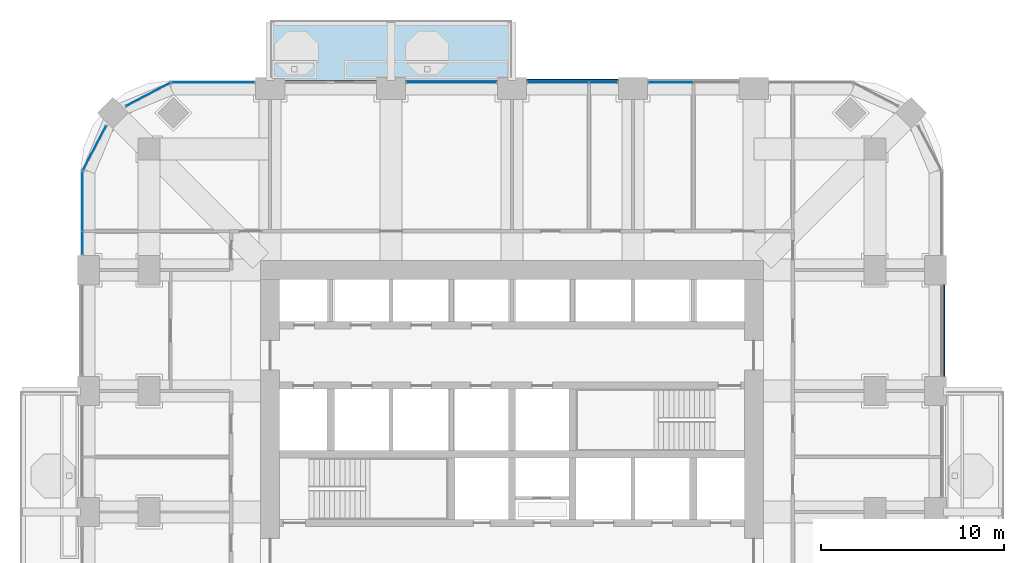
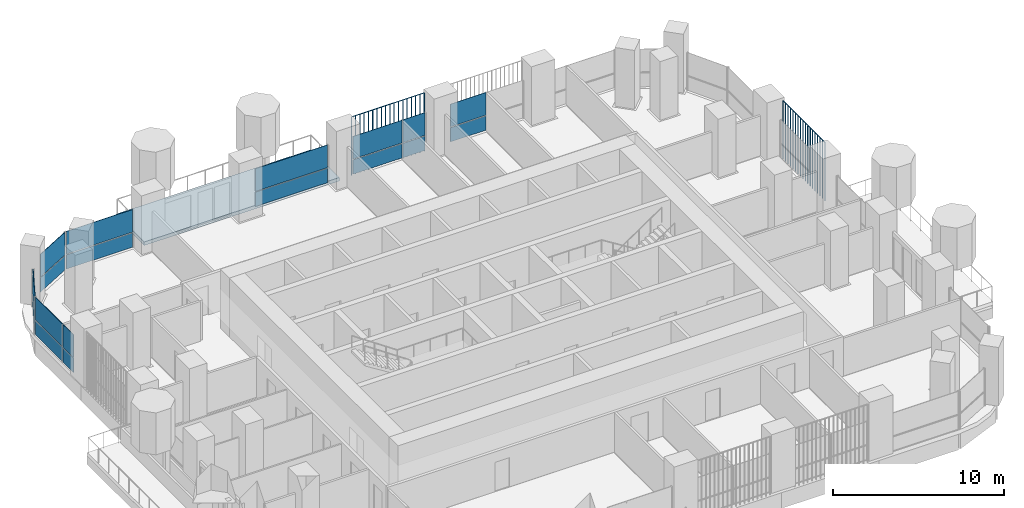
# One storey, part 10 of 20: 20 plates, 1 slab, 7 elements without a shape of their own.
"""IFC4 building model written with IfcOpenShell, lengths in metres."""

from ifc_helpers import new_model, si_unit, direction, frame, origin, origin_2d, place, context, subcontext, project, spatial, polyline, rectangle, outline, extrude, material, layer, layer_set, type_object, element, aggregate, save


model = new_model("IFC4")

# Units and contexts
model_context = context("Model", 3, precision=1e-05, world=origin(), true_north=direction((0.0, 1.0)))
body_context = subcontext(model_context, "Body", "Model", "MODEL_VIEW")
ifc_project = project(units=[si_unit("LENGTHUNIT", "METRE"), si_unit("AREAUNIT", "SQUARE_METRE"), si_unit("VOLUMEUNIT", "CUBIC_METRE"), si_unit("PLANEANGLEUNIT", "RADIAN"), si_unit("MASSUNIT", "GRAM", prefix="KILO")], contexts=[model_context])

# Site, building, storey
site_placement = place(None, origin())
site = spatial("IfcSite", under=ifc_project, at=site_placement, CompositionType="ELEMENT")
building_placement = place(site_placement, origin())
building = spatial("IfcBuilding", under=site, at=building_placement, Name="Cobogo Forest Laboratory Tower", CompositionType="ELEMENT")
storey_placement = place(building_placement, frame((0.0, 0.0, 168.300048828125)))
storey = spatial("IfcBuildingStorey", under=building, at=storey_placement, Name="L38", CompositionType="ELEMENT", Elevation=168.300048828125)

# Slab
ifc_material_1 = material(Name="Concrete HA-40 (C40/50)", Category="concrete")
ifc_layer_1 = layer(ifc_material_1, 0.25)
ifc_layer_set_1 = layer_set([ifc_layer_1], Name="Balcony slab 250")
slab_type = type_object("IfcSlabType", Name="Balcony slab 250", PredefinedType="FLOOR", material=ifc_layer_set_1)
slab_placement = place(storey_placement, frame((0.0, 0.0, -0.25)))
element("IfcSlab", 1, at=slab_placement, inside=storey, type_object=slab_type, Name="Balcony BAL-N1 L38", PredefinedType="FLOOR", context=body_context, shape_type="SweptSolid", body=[
    extrude(outline(polyline([(13.199951171875, 43.35009765625), (26.39990234375, 43.35009765625), (26.39990234375, 46.64990234375), (13.199951171875, 46.64990234375), (13.199951171875, 43.35009765625)])), origin(), (0.0, 0.0, 1.0), 0.25),
])

# Curtain wall, plates
ifc_material_2 = material(Name="Aluminium curtain wall", Category="aluminium")
curtain_wall_type = type_object("IfcCurtainWallType", Name="CW-2 unitised curtain wall, solar control glazing, laboratory floors zones C and D", PredefinedType="USERDEFINED", material=ifc_material_2)
curtain_wall_1_placement = place(storey_placement, origin())
curtain_wall_1 = element("IfcCurtainWall", 2, at=curtain_wall_1_placement, inside=storey, type_object=curtain_wall_type, Name="Curtain wall 17 L38", ObjectType="UNITISED CURTAIN WALL", PredefinedType="USERDEFINED")
ifc_material_3 = material(Name="Solar control insulated glass", Category="glass")
ifc_layer_2 = layer(ifc_material_3, 0.031982421875)
ifc_layer_set_2 = layer_set([ifc_layer_2], Name="GP-2 solar control glass unit 32")
plate_type_1 = type_object("IfcPlateType", Name="GP-2 solar control glass unit 32", PredefinedType="CURTAIN_PANEL", material=ifc_layer_set_2)
plate_1_placement = place(storey_placement, frame((35.06494140625, 43.25, 0.0), z_axis=(0.0, 0.0, 1.0), x_axis=(-1.0, 0.0, 0.0)))
plate_1 = element("IfcPlate", 3, at=plate_1_placement, type_object=plate_type_1, Name="CW-2 panel 2.1", PredefinedType="CURTAIN_PANEL", context=body_context, shape_type="SweptSolid", body=[
    extrude(rectangle(XDim=2.409912109375, YDim=0.031982421875, at=origin_2d()), origin(), (0.0, 0.0, 1.0), 1.02001953125),
])
plate_2_placement = place(storey_placement, frame((35.06494140625, 43.25, 1.079833984375), z_axis=(0.0, 0.0, 1.0), x_axis=(-1.0, 0.0, 0.0)))
plate_2 = element("IfcPlate", 4, at=plate_2_placement, type_object=plate_type_1, Name="CW-2 panel 2.2", PredefinedType="CURTAIN_PANEL", context=body_context, shape_type="SweptSolid", body=[
    extrude(rectangle(XDim=2.409912109375, YDim=0.031982421875, at=origin_2d()), origin(), (0.0, 0.0, 1.0), 1.6201171875),
])
aggregate(curtain_wall_1, [plate_1, plate_2])

curtain_wall_2_placement = place(storey_placement, origin())
curtain_wall_2 = element("IfcCurtainWall", 5, at=curtain_wall_2_placement, inside=storey, type_object=curtain_wall_type, Name="Curtain wall 18 L38", ObjectType="UNITISED CURTAIN WALL", PredefinedType="USERDEFINED")
plate_3_placement = place(storey_placement, frame((31.385009765625, 43.25, 0.0), z_axis=(0.0, 0.0, 1.0), x_axis=(-1.0, 0.0, 0.0)))
plate_3 = element("IfcPlate", 6, at=plate_3_placement, type_object=plate_type_1, Name="CW-2 panel 1.1", PredefinedType="CURTAIN_PANEL", context=body_context, shape_type="SweptSolid", body=[
    extrude(rectangle(XDim=1.510009765625, YDim=0.031982421875, at=origin_2d()), origin(), (0.0, 0.0, 1.0), 1.02001953125),
])
plate_4_placement = place(storey_placement, frame((31.385009765625, 43.25, 1.079833984375), z_axis=(0.0, 0.0, 1.0), x_axis=(-1.0, 0.0, 0.0)))
plate_4 = element("IfcPlate", 7, at=plate_4_placement, type_object=plate_type_1, Name="CW-2 panel 1.2", PredefinedType="CURTAIN_PANEL", context=body_context, shape_type="SweptSolid", body=[
    extrude(rectangle(XDim=1.510009765625, YDim=0.031982421875, at=origin_2d()), origin(), (0.0, 0.0, 1.0), 1.6201171875),
])
plate_5_placement = place(storey_placement, frame((28.9150390625, 43.25, 0.0), z_axis=(0.0, 0.0, 1.0), x_axis=(-1.0, 0.0, 0.0)))
plate_5 = element("IfcPlate", 8, at=plate_5_placement, type_object=plate_type_1, Name="CW-2 panel 2.1", PredefinedType="CURTAIN_PANEL", context=body_context, shape_type="SweptSolid", body=[
    extrude(rectangle(XDim=3.31005859375, YDim=0.031982421875, at=origin_2d()), origin(), (0.0, 0.0, 1.0), 1.02001953125),
])
plate_6_placement = place(storey_placement, frame((28.9150390625, 43.25, 1.079833984375), z_axis=(0.0, 0.0, 1.0), x_axis=(-1.0, 0.0, 0.0)))
plate_6 = element("IfcPlate", 9, at=plate_6_placement, type_object=plate_type_1, Name="CW-2 panel 2.2", PredefinedType="CURTAIN_PANEL", context=body_context, shape_type="SweptSolid", body=[
    extrude(rectangle(XDim=3.31005859375, YDim=0.031982421875, at=origin_2d()), origin(), (0.0, 0.0, 1.0), 1.6201171875),
])
aggregate(curtain_wall_2, [plate_3, plate_4, plate_5, plate_6])

curtain_wall_3_placement = place(storey_placement, origin())
curtain_wall_3 = element("IfcCurtainWall", 10, at=curtain_wall_3_placement, inside=storey, type_object=curtain_wall_type, Name="Curtain wall 19 L38", ObjectType="UNITISED CURTAIN WALL", PredefinedType="USERDEFINED")
plate_7_placement = place(storey_placement, frame((23.10009765625, 43.25, 0.0), z_axis=(0.0, 0.0, 1.0), x_axis=(-1.0, 0.0, 0.0)))
plate_7 = element("IfcPlate", 11, at=plate_7_placement, type_object=plate_type_1, Name="CW-2 panel 1.1", PredefinedType="CURTAIN_PANEL", context=body_context, shape_type="SweptSolid", body=[
    extrude(rectangle(XDim=4.8798828125, YDim=0.031982421875, at=origin_2d()), origin(), (0.0, 0.0, 1.0), 1.02001953125),
])
plate_8_placement = place(storey_placement, frame((23.10009765625, 43.25, 1.079833984375), z_axis=(0.0, 0.0, 1.0), x_axis=(-1.0, 0.0, 0.0)))
plate_8 = element("IfcPlate", 12, at=plate_8_placement, type_object=plate_type_1, Name="CW-2 panel 1.2", PredefinedType="CURTAIN_PANEL", context=body_context, shape_type="SweptSolid", body=[
    extrude(rectangle(XDim=4.8798828125, YDim=0.031982421875, at=origin_2d()), origin(), (0.0, 0.0, 1.0), 1.6201171875),
])
aggregate(curtain_wall_3, [plate_7, plate_8])

curtain_wall_4_placement = place(storey_placement, origin())
curtain_wall_4 = element("IfcCurtainWall", 13, at=curtain_wall_4_placement, inside=storey, type_object=curtain_wall_type, Name="Curtain wall 21 L38", ObjectType="UNITISED CURTAIN WALL", PredefinedType="USERDEFINED")
plate_9_placement = place(storey_placement, frame((10.10009765625, 43.25, 0.0), z_axis=(0.0, 0.0, 1.0), x_axis=(-1.0, 0.0, 0.0)))
plate_9 = element("IfcPlate", 14, at=plate_9_placement, type_object=plate_type_1, Name="CW-2 panel 1.1", PredefinedType="CURTAIN_PANEL", context=body_context, shape_type="SweptSolid", body=[
    extrude(rectangle(XDim=4.47998046875, YDim=0.031982421875, at=origin_2d()), origin(), (0.0, 0.0, 1.0), 1.02001953125),
])
plate_10_placement = place(storey_placement, frame((10.10009765625, 43.25, 1.079833984375), z_axis=(0.0, 0.0, 1.0), x_axis=(-1.0, 0.0, 0.0)))
plate_10 = element("IfcPlate", 15, at=plate_10_placement, type_object=plate_type_1, Name="CW-2 panel 1.2", PredefinedType="CURTAIN_PANEL", context=body_context, shape_type="SweptSolid", body=[
    extrude(rectangle(XDim=4.47998046875, YDim=0.031982421875, at=origin_2d()), origin(), (0.0, 0.0, 1.0), 1.6201171875),
])
aggregate(curtain_wall_4, [plate_9, plate_10])

curtain_wall_5_placement = place(storey_placement, origin())
curtain_wall_5 = element("IfcCurtainWall", 16, at=curtain_wall_5_placement, inside=storey, type_object=curtain_wall_type, Name="Curtain wall 22 L38", ObjectType="UNITISED CURTAIN WALL", PredefinedType="USERDEFINED")
plate_11_placement = place(storey_placement, frame((6.547607421875, 42.593505859375, 0.0), z_axis=(0.0, 0.0, 1.0), x_axis=(-0.885686477022, -0.464283818822, 0.0)))
plate_11 = element("IfcPlate", 17, at=plate_11_placement, type_object=plate_type_1, Name="CW-2 panel 1.1", PredefinedType="CURTAIN_PANEL", context=body_context, shape_type="SweptSolid", body=[
    extrude(rectangle(XDim=2.7080078125, YDim=0.031982421875, at=origin_2d()), origin(), (0.0, 0.0, 1.0), 1.02001953125),
])
plate_12_placement = place(storey_placement, frame((6.547607421875, 42.593505859375, 1.079833984375), z_axis=(0.0, 0.0, 1.0), x_axis=(-0.885686477022, -0.464283818822, 0.0)))
plate_12 = element("IfcPlate", 18, at=plate_12_placement, type_object=plate_type_1, Name="CW-2 panel 1.2", PredefinedType="CURTAIN_PANEL", context=body_context, shape_type="SweptSolid", body=[
    extrude(rectangle(XDim=2.7080078125, YDim=0.031982421875, at=origin_2d()), origin(), (0.0, 0.0, 1.0), 1.6201171875),
])
aggregate(curtain_wall_5, [plate_11, plate_12])

curtain_wall_6_placement = place(storey_placement, origin())
curtain_wall_6 = element("IfcCurtainWall", 19, at=curtain_wall_6_placement, inside=storey, type_object=curtain_wall_type, Name="Curtain wall 23 L38", ObjectType="UNITISED CURTAIN WALL", PredefinedType="USERDEFINED")
plate_13_placement = place(storey_placement, frame((3.6064453125, 39.65234375, 0.0), z_axis=(0.0, 0.0, 1.0), x_axis=(-0.464283818822, -0.885686477022, 0.0)))
plate_13 = element("IfcPlate", 20, at=plate_13_placement, type_object=plate_type_1, Name="CW-2 panel 1.1", PredefinedType="CURTAIN_PANEL", context=body_context, shape_type="SweptSolid", body=[
    extrude(rectangle(XDim=2.7080078125, YDim=0.031982421875, at=origin_2d()), origin(), (0.0, 0.0, 1.0), 1.02001953125),
])
plate_14_placement = place(storey_placement, frame((3.6064453125, 39.65234375, 1.079833984375), z_axis=(0.0, 0.0, 1.0), x_axis=(-0.464283818822, -0.885686477022, 0.0)))
plate_14 = element("IfcPlate", 21, at=plate_14_placement, type_object=plate_type_1, Name="CW-2 panel 1.2", PredefinedType="CURTAIN_PANEL", context=body_context, shape_type="SweptSolid", body=[
    extrude(rectangle(XDim=2.7080078125, YDim=0.031982421875, at=origin_2d()), origin(), (0.0, 0.0, 1.0), 1.6201171875),
])
aggregate(curtain_wall_6, [plate_13, plate_14])

curtain_wall_7_placement = place(storey_placement, origin())
curtain_wall_7 = element("IfcCurtainWall", 22, at=curtain_wall_7_placement, inside=storey, type_object=curtain_wall_type, Name="Curtain wall 24 L38", ObjectType="UNITISED CURTAIN WALL", PredefinedType="USERDEFINED")
plate_15_placement = place(storey_placement, frame((2.949951171875, 36.74755859375, 0.0), z_axis=(0.0, 0.0, 1.0), x_axis=(0.0, -1.0, 0.0)))
plate_15 = element("IfcPlate", 23, at=plate_15_placement, type_object=plate_type_1, Name="CW-2 panel 1.1", PredefinedType="CURTAIN_PANEL", context=body_context, shape_type="SweptSolid", body=[
    extrude(rectangle(XDim=3.18505859375, YDim=0.031982421875, at=origin_2d()), origin(), (0.0, 0.0, 1.0), 1.02001953125),
])
plate_16_placement = place(storey_placement, frame((2.949951171875, 36.74755859375, 1.079833984375), z_axis=(0.0, 0.0, 1.0), x_axis=(0.0, -1.0, 0.0)))
plate_16 = element("IfcPlate", 24, at=plate_16_placement, type_object=plate_type_1, Name="CW-2 panel 1.2", PredefinedType="CURTAIN_PANEL", context=body_context, shape_type="SweptSolid", body=[
    extrude(rectangle(XDim=3.18505859375, YDim=0.031982421875, at=origin_2d()), origin(), (0.0, 0.0, 1.0), 1.6201171875),
])
plate_17_placement = place(storey_placement, frame((2.949951171875, 34.4775390625, 0.0), z_axis=(0.0, 0.0, 1.0), x_axis=(0.0, -1.0, 0.0)))
plate_17 = element("IfcPlate", 25, at=plate_17_placement, type_object=plate_type_1, Name="CW-2 panel 2.1", PredefinedType="CURTAIN_PANEL", context=body_context, shape_type="SweptSolid", body=[
    extrude(rectangle(XDim=1.235107421875, YDim=0.031982421875, at=origin_2d()), origin(), (0.0, 0.0, 1.0), 1.02001953125),
])
plate_18_placement = place(storey_placement, frame((2.949951171875, 34.4775390625, 1.079833984375), z_axis=(0.0, 0.0, 1.0), x_axis=(0.0, -1.0, 0.0)))
plate_18 = element("IfcPlate", 26, at=plate_18_placement, type_object=plate_type_1, Name="CW-2 panel 2.2", PredefinedType="CURTAIN_PANEL", context=body_context, shape_type="SweptSolid", body=[
    extrude(rectangle(XDim=1.235107421875, YDim=0.031982421875, at=origin_2d()), origin(), (0.0, 0.0, 1.0), 1.6201171875),
])
aggregate(curtain_wall_7, [plate_15, plate_16, plate_17, plate_18])

# Plates
ifc_material_4 = material(Name="Terracotta", Category="masonry")
plate_type_2 = type_object("IfcPlateType", Name="TB1 terracotta baguette screen", PredefinedType="USERDEFINED", material=ifc_material_4)
plate_19_placement = place(storey_placement, frame((49.977783203125, 27.231201171875, -0.150146484375)))
element("IfcPlate", 27, at=plate_19_placement, inside=storey, type_object=plate_type_2, Name="Baguette screen E3 L38", ObjectType="BAGUETTE SCREEN", PredefinedType="USERDEFINED", context=body_context, shape_type="SweptSolid", body=[
    extrude(outline(polyline([(0.02880859375, 0.011962890625), (0.011962890625, 0.02880859375), (-0.011962890625, 0.02880859375), (-0.02880859375, 0.011962890625), (-0.02880859375, -0.011962890625), (-0.011962890625, -0.02880859375), (0.011962890625, -0.02880859375), (0.02880859375, -0.011962890625), (0.02880859375, 0.011962890625)])), frame((0.0, 0.0, 4.168701171875), z_axis=(0.0, 1.0, 0.0), x_axis=(-1.0, 0.0, 0.0)), (0.0, 0.0, 1.0), 4.9375),
    extrude(outline(polyline([(0.02880859375, 0.011962890625), (0.011962890625, 0.02880859375), (-0.011962890625, 0.02880859375), (-0.02880859375, 0.011962890625), (-0.02880859375, -0.011962890625), (-0.011962890625, -0.02880859375), (0.011962890625, -0.02880859375), (0.02880859375, -0.011962890625), (0.02880859375, 0.011962890625)])), origin(), (0.0, 0.0, 1.0), 4.137451171875),
    extrude(outline(polyline([(0.02880859375, 0.011962890625), (0.011962890625, 0.02880859375), (-0.011962890625, 0.02880859375), (-0.02880859375, 0.011962890625), (-0.02880859375, -0.011962890625), (-0.011962890625, -0.02880859375), (0.011962890625, -0.02880859375), (0.02880859375, -0.011962890625), (0.02880859375, 0.011962890625)])), frame((0.0, 0.29052734375, 0.0)), (0.0, 0.0, 1.0), 4.137451171875),
    extrude(outline(polyline([(0.02880859375, 0.011962890625), (0.011962890625, 0.02880859375), (-0.011962890625, 0.02880859375), (-0.02880859375, 0.011962890625), (-0.02880859375, -0.011962890625), (-0.011962890625, -0.02880859375), (0.011962890625, -0.02880859375), (0.02880859375, -0.011962890625), (0.02880859375, 0.011962890625)])), frame((0.0, 0.580810546875, 0.0)), (0.0, 0.0, 1.0), 4.137451171875),
    extrude(outline(polyline([(0.02880859375, 0.011962890625), (0.011962890625, 0.02880859375), (-0.011962890625, 0.02880859375), (-0.02880859375, 0.011962890625), (-0.02880859375, -0.011962890625), (-0.011962890625, -0.02880859375), (0.011962890625, -0.02880859375), (0.02880859375, -0.011962890625), (0.02880859375, 0.011962890625)])), frame((0.0, 0.871337890625, 0.0)), (0.0, 0.0, 1.0), 4.137451171875),
    extrude(outline(polyline([(0.02880859375, 0.011962890625), (0.011962890625, 0.02880859375), (-0.011962890625, 0.02880859375), (-0.02880859375, 0.011962890625), (-0.02880859375, -0.011962890625), (-0.011962890625, -0.02880859375), (0.011962890625, -0.02880859375), (0.02880859375, -0.011962890625), (0.02880859375, 0.011962890625)])), frame((0.0, 1.161865234375, 0.0)), (0.0, 0.0, 1.0), 4.137451171875),
    extrude(outline(polyline([(0.02880859375, 0.011962890625), (0.011962890625, 0.02880859375), (-0.011962890625, 0.02880859375), (-0.02880859375, 0.011962890625), (-0.02880859375, -0.011962890625), (-0.011962890625, -0.02880859375), (0.011962890625, -0.02880859375), (0.02880859375, -0.011962890625), (0.02880859375, 0.011962890625)])), frame((0.0, 1.4521484375, 0.0)), (0.0, 0.0, 1.0), 4.137451171875),
    extrude(outline(polyline([(0.02880859375, 0.011962890625), (0.011962890625, 0.02880859375), (-0.011962890625, 0.02880859375), (-0.02880859375, 0.011962890625), (-0.02880859375, -0.011962890625), (-0.011962890625, -0.02880859375), (0.011962890625, -0.02880859375), (0.02880859375, -0.011962890625), (0.02880859375, 0.011962890625)])), frame((0.0, 1.74267578125, 0.0)), (0.0, 0.0, 1.0), 4.137451171875),
    extrude(outline(polyline([(0.02880859375, 0.011962890625), (0.011962890625, 0.02880859375), (-0.011962890625, 0.02880859375), (-0.02880859375, 0.011962890625), (-0.02880859375, -0.011962890625), (-0.011962890625, -0.02880859375), (0.011962890625, -0.02880859375), (0.02880859375, -0.011962890625), (0.02880859375, 0.011962890625)])), frame((0.0, 2.033203125, 0.0)), (0.0, 0.0, 1.0), 4.137451171875),
    extrude(outline(polyline([(0.02880859375, 0.011962890625), (0.011962890625, 0.02880859375), (-0.011962890625, 0.02880859375), (-0.02880859375, 0.011962890625), (-0.02880859375, -0.011962890625), (-0.011962890625, -0.02880859375), (0.011962890625, -0.02880859375), (0.02880859375, -0.011962890625), (0.02880859375, 0.011962890625)])), frame((0.0, 2.323486328125, 0.0)), (0.0, 0.0, 1.0), 4.137451171875),
    extrude(outline(polyline([(0.02880859375, 0.011962890625), (0.011962890625, 0.02880859375), (-0.011962890625, 0.02880859375), (-0.02880859375, 0.011962890625), (-0.02880859375, -0.011962890625), (-0.011962890625, -0.02880859375), (0.011962890625, -0.02880859375), (0.02880859375, -0.011962890625), (0.02880859375, 0.011962890625)])), frame((0.0, 2.614013671875, 0.0)), (0.0, 0.0, 1.0), 4.137451171875),
    extrude(outline(polyline([(0.02880859375, 0.011962890625), (0.011962890625, 0.02880859375), (-0.011962890625, 0.02880859375), (-0.02880859375, 0.011962890625), (-0.02880859375, -0.011962890625), (-0.011962890625, -0.02880859375), (0.011962890625, -0.02880859375), (0.02880859375, -0.011962890625), (0.02880859375, 0.011962890625)])), frame((0.0, 2.904296875, 0.0)), (0.0, 0.0, 1.0), 4.137451171875),
    extrude(outline(polyline([(0.02880859375, 0.011962890625), (0.011962890625, 0.02880859375), (-0.011962890625, 0.02880859375), (-0.02880859375, 0.011962890625), (-0.02880859375, -0.011962890625), (-0.011962890625, -0.02880859375), (0.011962890625, -0.02880859375), (0.02880859375, -0.011962890625), (0.02880859375, 0.011962890625)])), frame((0.0, 3.19482421875, 0.0)), (0.0, 0.0, 1.0), 4.137451171875),
    extrude(outline(polyline([(0.02880859375, 0.011962890625), (0.011962890625, 0.02880859375), (-0.011962890625, 0.02880859375), (-0.02880859375, 0.011962890625), (-0.02880859375, -0.011962890625), (-0.011962890625, -0.02880859375), (0.011962890625, -0.02880859375), (0.02880859375, -0.011962890625), (0.02880859375, 0.011962890625)])), frame((0.0, 3.4853515625, 0.0)), (0.0, 0.0, 1.0), 4.137451171875),
    extrude(outline(polyline([(0.02880859375, 0.011962890625), (0.011962890625, 0.02880859375), (-0.011962890625, 0.02880859375), (-0.02880859375, 0.011962890625), (-0.02880859375, -0.011962890625), (-0.011962890625, -0.02880859375), (0.011962890625, -0.02880859375), (0.02880859375, -0.011962890625), (0.02880859375, 0.011962890625)])), frame((0.0, 3.775634765625, 0.0)), (0.0, 0.0, 1.0), 4.137451171875),
    extrude(outline(polyline([(0.02880859375, 0.011962890625), (0.011962890625, 0.02880859375), (-0.011962890625, 0.02880859375), (-0.02880859375, 0.011962890625), (-0.02880859375, -0.011962890625), (-0.011962890625, -0.02880859375), (0.011962890625, -0.02880859375), (0.02880859375, -0.011962890625), (0.02880859375, 0.011962890625)])), frame((0.0, 4.066162109375, 0.0)), (0.0, 0.0, 1.0), 4.137451171875),
    extrude(outline(polyline([(0.02880859375, 0.011962890625), (0.011962890625, 0.02880859375), (-0.011962890625, 0.02880859375), (-0.02880859375, 0.011962890625), (-0.02880859375, -0.011962890625), (-0.011962890625, -0.02880859375), (0.011962890625, -0.02880859375), (0.02880859375, -0.011962890625), (0.02880859375, 0.011962890625)])), frame((0.0, 4.356689453125, 0.0)), (0.0, 0.0, 1.0), 4.137451171875),
    extrude(outline(polyline([(0.02880859375, 0.011962890625), (0.011962890625, 0.02880859375), (-0.011962890625, 0.02880859375), (-0.02880859375, 0.011962890625), (-0.02880859375, -0.011962890625), (-0.011962890625, -0.02880859375), (0.011962890625, -0.02880859375), (0.02880859375, -0.011962890625), (0.02880859375, 0.011962890625)])), frame((0.0, 4.64697265625, 0.0)), (0.0, 0.0, 1.0), 4.137451171875),
    extrude(outline(polyline([(0.02880859375, 0.011962890625), (0.011962890625, 0.02880859375), (-0.011962890625, 0.02880859375), (-0.02880859375, 0.011962890625), (-0.02880859375, -0.011962890625), (-0.011962890625, -0.02880859375), (0.011962890625, -0.02880859375), (0.02880859375, -0.011962890625), (0.02880859375, 0.011962890625)])), frame((0.0, 4.9375, 0.0)), (0.0, 0.0, 1.0), 4.137451171875),
])
plate_20_placement = place(storey_placement, frame((27.231201171875, 43.3779296875, -0.150146484375)))
element("IfcPlate", 28, at=plate_20_placement, inside=storey, type_object=plate_type_2, Name="Baguette screen N3 L38", ObjectType="BAGUETTE SCREEN", PredefinedType="USERDEFINED", context=body_context, shape_type="SweptSolid", body=[
    extrude(outline(polyline([(0.02880859375, 0.011962890625), (0.011962890625, 0.02880859375), (-0.011962890625, 0.02880859375), (-0.02880859375, 0.011962890625), (-0.02880859375, -0.011962890625), (-0.011962890625, -0.02880859375), (0.011962890625, -0.02880859375), (0.02880859375, -0.011962890625), (0.02880859375, 0.011962890625)])), frame((0.0, 0.0, 4.168701171875), z_axis=(1.0, 0.0, 0.0), x_axis=(0.0, 1.0, 0.0)), (0.0, 0.0, 1.0), 4.9375),
    extrude(outline(polyline([(0.02880859375, 0.011962890625), (0.011962890625, 0.02880859375), (-0.011962890625, 0.02880859375), (-0.02880859375, 0.011962890625), (-0.02880859375, -0.011962890625), (-0.011962890625, -0.02880859375), (0.011962890625, -0.02880859375), (0.02880859375, -0.011962890625), (0.02880859375, 0.011962890625)])), origin(), (0.0, 0.0, 1.0), 4.137451171875),
    extrude(outline(polyline([(0.02880859375, 0.011962890625), (0.011962890625, 0.02880859375), (-0.011962890625, 0.02880859375), (-0.02880859375, 0.011962890625), (-0.02880859375, -0.011962890625), (-0.011962890625, -0.02880859375), (0.011962890625, -0.02880859375), (0.02880859375, -0.011962890625), (0.02880859375, 0.011962890625)])), frame((0.29052734375, 0.0, 0.0)), (0.0, 0.0, 1.0), 4.137451171875),
    extrude(outline(polyline([(0.02880859375, 0.011962890625), (0.011962890625, 0.02880859375), (-0.011962890625, 0.02880859375), (-0.02880859375, 0.011962890625), (-0.02880859375, -0.011962890625), (-0.011962890625, -0.02880859375), (0.011962890625, -0.02880859375), (0.02880859375, -0.011962890625), (0.02880859375, 0.011962890625)])), frame((0.580810546875, 0.0, 0.0)), (0.0, 0.0, 1.0), 4.137451171875),
    extrude(outline(polyline([(0.02880859375, 0.011962890625), (0.011962890625, 0.02880859375), (-0.011962890625, 0.02880859375), (-0.02880859375, 0.011962890625), (-0.02880859375, -0.011962890625), (-0.011962890625, -0.02880859375), (0.011962890625, -0.02880859375), (0.02880859375, -0.011962890625), (0.02880859375, 0.011962890625)])), frame((0.871337890625, 0.0, 0.0)), (0.0, 0.0, 1.0), 4.137451171875),
    extrude(outline(polyline([(0.02880859375, 0.011962890625), (0.011962890625, 0.02880859375), (-0.011962890625, 0.02880859375), (-0.02880859375, 0.011962890625), (-0.02880859375, -0.011962890625), (-0.011962890625, -0.02880859375), (0.011962890625, -0.02880859375), (0.02880859375, -0.011962890625), (0.02880859375, 0.011962890625)])), frame((1.161865234375, 0.0, 0.0)), (0.0, 0.0, 1.0), 4.137451171875),
    extrude(outline(polyline([(0.02880859375, 0.011962890625), (0.011962890625, 0.02880859375), (-0.011962890625, 0.02880859375), (-0.02880859375, 0.011962890625), (-0.02880859375, -0.011962890625), (-0.011962890625, -0.02880859375), (0.011962890625, -0.02880859375), (0.02880859375, -0.011962890625), (0.02880859375, 0.011962890625)])), frame((1.4521484375, 0.0, 0.0)), (0.0, 0.0, 1.0), 4.137451171875),
    extrude(outline(polyline([(0.02880859375, 0.011962890625), (0.011962890625, 0.02880859375), (-0.011962890625, 0.02880859375), (-0.02880859375, 0.011962890625), (-0.02880859375, -0.011962890625), (-0.011962890625, -0.02880859375), (0.011962890625, -0.02880859375), (0.02880859375, -0.011962890625), (0.02880859375, 0.011962890625)])), frame((1.74267578125, 0.0, 0.0)), (0.0, 0.0, 1.0), 4.137451171875),
    extrude(outline(polyline([(0.02880859375, 0.011962890625), (0.011962890625, 0.02880859375), (-0.011962890625, 0.02880859375), (-0.02880859375, 0.011962890625), (-0.02880859375, -0.011962890625), (-0.011962890625, -0.02880859375), (0.011962890625, -0.02880859375), (0.02880859375, -0.011962890625), (0.02880859375, 0.011962890625)])), frame((2.033203125, 0.0, 0.0)), (0.0, 0.0, 1.0), 4.137451171875),
    extrude(outline(polyline([(0.02880859375, 0.011962890625), (0.011962890625, 0.02880859375), (-0.011962890625, 0.02880859375), (-0.02880859375, 0.011962890625), (-0.02880859375, -0.011962890625), (-0.011962890625, -0.02880859375), (0.011962890625, -0.02880859375), (0.02880859375, -0.011962890625), (0.02880859375, 0.011962890625)])), frame((2.323486328125, 0.0, 0.0)), (0.0, 0.0, 1.0), 4.137451171875),
    extrude(outline(polyline([(0.02880859375, 0.011962890625), (0.011962890625, 0.02880859375), (-0.011962890625, 0.02880859375), (-0.02880859375, 0.011962890625), (-0.02880859375, -0.011962890625), (-0.011962890625, -0.02880859375), (0.011962890625, -0.02880859375), (0.02880859375, -0.011962890625), (0.02880859375, 0.011962890625)])), frame((2.614013671875, 0.0, 0.0)), (0.0, 0.0, 1.0), 4.137451171875),
    extrude(outline(polyline([(0.02880859375, 0.011962890625), (0.011962890625, 0.02880859375), (-0.011962890625, 0.02880859375), (-0.02880859375, 0.011962890625), (-0.02880859375, -0.011962890625), (-0.011962890625, -0.02880859375), (0.011962890625, -0.02880859375), (0.02880859375, -0.011962890625), (0.02880859375, 0.011962890625)])), frame((2.904296875, 0.0, 0.0)), (0.0, 0.0, 1.0), 4.137451171875),
    extrude(outline(polyline([(0.02880859375, 0.011962890625), (0.011962890625, 0.02880859375), (-0.011962890625, 0.02880859375), (-0.02880859375, 0.011962890625), (-0.02880859375, -0.011962890625), (-0.011962890625, -0.02880859375), (0.011962890625, -0.02880859375), (0.02880859375, -0.011962890625), (0.02880859375, 0.011962890625)])), frame((3.19482421875, 0.0, 0.0)), (0.0, 0.0, 1.0), 4.137451171875),
    extrude(outline(polyline([(0.02880859375, 0.011962890625), (0.011962890625, 0.02880859375), (-0.011962890625, 0.02880859375), (-0.02880859375, 0.011962890625), (-0.02880859375, -0.011962890625), (-0.011962890625, -0.02880859375), (0.011962890625, -0.02880859375), (0.02880859375, -0.011962890625), (0.02880859375, 0.011962890625)])), frame((3.4853515625, 0.0, 0.0)), (0.0, 0.0, 1.0), 4.137451171875),
    extrude(outline(polyline([(0.02880859375, 0.011962890625), (0.011962890625, 0.02880859375), (-0.011962890625, 0.02880859375), (-0.02880859375, 0.011962890625), (-0.02880859375, -0.011962890625), (-0.011962890625, -0.02880859375), (0.011962890625, -0.02880859375), (0.02880859375, -0.011962890625), (0.02880859375, 0.011962890625)])), frame((3.775634765625, 0.0, 0.0)), (0.0, 0.0, 1.0), 4.137451171875),
    extrude(outline(polyline([(0.02880859375, 0.011962890625), (0.011962890625, 0.02880859375), (-0.011962890625, 0.02880859375), (-0.02880859375, 0.011962890625), (-0.02880859375, -0.011962890625), (-0.011962890625, -0.02880859375), (0.011962890625, -0.02880859375), (0.02880859375, -0.011962890625), (0.02880859375, 0.011962890625)])), frame((4.066162109375, 0.0, 0.0)), (0.0, 0.0, 1.0), 4.137451171875),
    extrude(outline(polyline([(0.02880859375, 0.011962890625), (0.011962890625, 0.02880859375), (-0.011962890625, 0.02880859375), (-0.02880859375, 0.011962890625), (-0.02880859375, -0.011962890625), (-0.011962890625, -0.02880859375), (0.011962890625, -0.02880859375), (0.02880859375, -0.011962890625), (0.02880859375, 0.011962890625)])), frame((4.356689453125, 0.0, 0.0)), (0.0, 0.0, 1.0), 4.137451171875),
    extrude(outline(polyline([(0.02880859375, 0.011962890625), (0.011962890625, 0.02880859375), (-0.011962890625, 0.02880859375), (-0.02880859375, 0.011962890625), (-0.02880859375, -0.011962890625), (-0.011962890625, -0.02880859375), (0.011962890625, -0.02880859375), (0.02880859375, -0.011962890625), (0.02880859375, 0.011962890625)])), frame((4.64697265625, 0.0, 0.0)), (0.0, 0.0, 1.0), 4.137451171875),
    extrude(outline(polyline([(0.02880859375, 0.011962890625), (0.011962890625, 0.02880859375), (-0.011962890625, 0.02880859375), (-0.02880859375, 0.011962890625), (-0.02880859375, -0.011962890625), (-0.011962890625, -0.02880859375), (0.011962890625, -0.02880859375), (0.02880859375, -0.011962890625), (0.02880859375, 0.011962890625)])), frame((4.9375, 0.0, 0.0)), (0.0, 0.0, 1.0), 4.137451171875),
])

save(model, "model.ifc")
